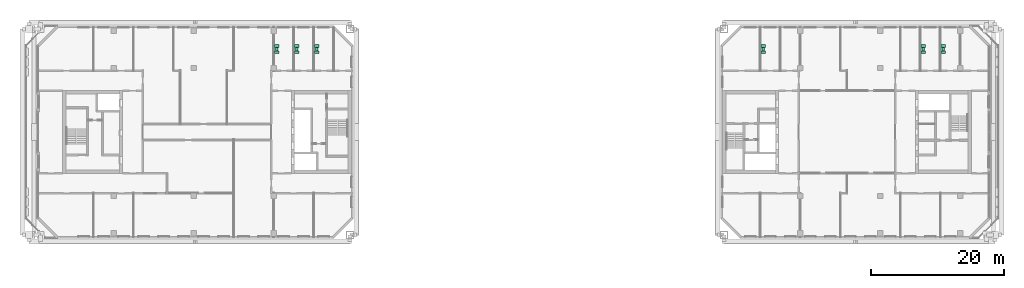
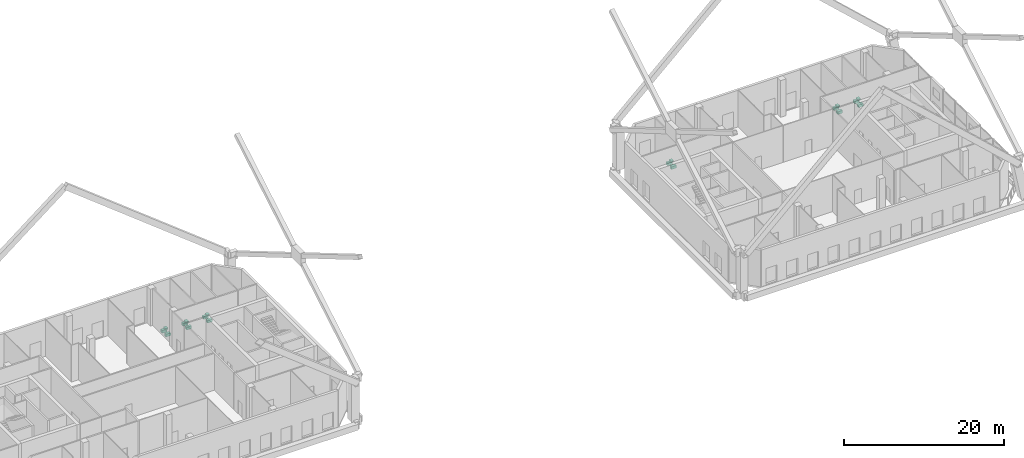
# One storey, part 20 of 20: 18 sanitary terminals.
"""IFC4 building model written with IfcOpenShell, lengths in metres."""

from ifc_helpers import new_model, si_unit, direction, frame, origin, origin_2d, place, context, subcontext, project, spatial, rectangle, extrude, element, save


model = new_model("IFC4")

# Units and contexts
model_context = context("Model", 3, precision=1e-05, world=origin(), true_north=direction((0.0, 1.0)))
body_context = subcontext(model_context, "Body", "Model", "MODEL_VIEW")
ifc_project = project(units=[si_unit("LENGTHUNIT", "METRE"), si_unit("AREAUNIT", "SQUARE_METRE"), si_unit("VOLUMEUNIT", "CUBIC_METRE"), si_unit("PLANEANGLEUNIT", "RADIAN"), si_unit("MASSUNIT", "GRAM", prefix="KILO")], contexts=[model_context])

# Site, building, storey
site_placement = place(None, origin())
site = spatial("IfcSite", under=ifc_project, at=site_placement, CompositionType="ELEMENT")
building_placement = place(site_placement, origin())
building = spatial("IfcBuilding", under=site, at=building_placement, Name="Tuart Gate Housing", CompositionType="ELEMENT")
storey_placement = place(building_placement, frame((0.0, 0.0, 142.300048828125)))
storey = spatial("IfcBuildingStorey", under=building, at=storey_placement, Name="L40", CompositionType="ELEMENT", Elevation=142.300048828125)

# Sanitary terminals
for number, where, z_axis, x_axis, name in (
    (1, (64.449951171875, 81.945068359375, 0.0), (0.0, 0.0, 1.0), (1.0, 0.0, 0.0), "Water closet"),
    (2, (64.449951171875, 82.89501953125, 0.0), (0.0, 0.0, 1.0), (1.0, 0.0, 0.0), "Water closet"),
):
    element("IfcSanitaryTerminal", number, at=place(storey_placement, frame(where, z_axis=z_axis, x_axis=x_axis)), inside=storey, Name=name, PredefinedType="TOILETPAN", context=body_context, shape_type="SweptSolid", body=[
        extrude(rectangle(XDim=0.699951171875, YDim=0.39990234375, at=origin_2d()), origin(), (0.0, 0.0, 1.0), 0.39990234375),
    ])
sanitary_terminal_1_placement = place(storey_placement, frame((64.449951171875, 82.419921875, 0.75), z_axis=(0.0, 0.0, 1.0), x_axis=(1.0, 0.0, 0.0)))
element("IfcSanitaryTerminal", 3, at=sanitary_terminal_1_placement, inside=storey, Name="Wash basin", PredefinedType="WASHHANDBASIN", context=body_context, shape_type="SweptSolid", body=[
    extrude(rectangle(XDim=0.39990234375, YDim=0.5, at=origin_2d()), origin(), (0.0, 0.0, 1.0), 0.199951171875),
])
for number, where, z_axis, x_axis, name in (
    (4, (67.449951171875, 81.945068359375, 0.0), (0.0, 0.0, 1.0), (1.0, 0.0, 0.0), "Water closet"),
    (5, (67.449951171875, 82.89501953125, 0.0), (0.0, 0.0, 1.0), (1.0, 0.0, 0.0), "Water closet"),
):
    element("IfcSanitaryTerminal", number, at=place(storey_placement, frame(where, z_axis=z_axis, x_axis=x_axis)), inside=storey, Name=name, PredefinedType="TOILETPAN", context=body_context, shape_type="SweptSolid", body=[
        extrude(rectangle(XDim=0.699951171875, YDim=0.39990234375, at=origin_2d()), origin(), (0.0, 0.0, 1.0), 0.39990234375),
    ])
sanitary_terminal_2_placement = place(storey_placement, frame((67.449951171875, 82.419921875, 0.75), z_axis=(0.0, 0.0, 1.0), x_axis=(1.0, 0.0, 0.0)))
element("IfcSanitaryTerminal", 6, at=sanitary_terminal_2_placement, inside=storey, Name="Wash basin", PredefinedType="WASHHANDBASIN", context=body_context, shape_type="SweptSolid", body=[
    extrude(rectangle(XDim=0.39990234375, YDim=0.5, at=origin_2d()), origin(), (0.0, 0.0, 1.0), 0.199951171875),
])
for number, where, z_axis, x_axis, name in (
    (7, (70.449951171875, 81.945068359375, 0.0), (0.0, 0.0, 1.0), (1.0, 0.0, 0.0), "Water closet"),
    (8, (70.449951171875, 82.89501953125, 0.0), (0.0, 0.0, 1.0), (1.0, 0.0, 0.0), "Water closet"),
):
    element("IfcSanitaryTerminal", number, at=place(storey_placement, frame(where, z_axis=z_axis, x_axis=x_axis)), inside=storey, Name=name, PredefinedType="TOILETPAN", context=body_context, shape_type="SweptSolid", body=[
        extrude(rectangle(XDim=0.699951171875, YDim=0.39990234375, at=origin_2d()), origin(), (0.0, 0.0, 1.0), 0.39990234375),
    ])
sanitary_terminal_3_placement = place(storey_placement, frame((70.449951171875, 82.419921875, 0.75), z_axis=(0.0, 0.0, 1.0), x_axis=(1.0, 0.0, 0.0)))
element("IfcSanitaryTerminal", 9, at=sanitary_terminal_3_placement, inside=storey, Name="Wash basin", PredefinedType="WASHHANDBASIN", context=body_context, shape_type="SweptSolid", body=[
    extrude(rectangle(XDim=0.39990234375, YDim=0.5, at=origin_2d()), origin(), (0.0, 0.0, 1.0), 0.199951171875),
])
for number, where, z_axis, x_axis, name in (
    (10, (137.449951171875, 81.945068359375, 0.0), (0.0, 0.0, 1.0), (1.0, 0.0, 0.0), "Water closet"),
    (11, (137.449951171875, 82.89501953125, 0.0), (0.0, 0.0, 1.0), (1.0, 0.0, 0.0), "Water closet"),
):
    element("IfcSanitaryTerminal", number, at=place(storey_placement, frame(where, z_axis=z_axis, x_axis=x_axis)), inside=storey, Name=name, PredefinedType="TOILETPAN", context=body_context, shape_type="SweptSolid", body=[
        extrude(rectangle(XDim=0.699951171875, YDim=0.39990234375, at=origin_2d()), origin(), (0.0, 0.0, 1.0), 0.39990234375),
    ])
sanitary_terminal_4_placement = place(storey_placement, frame((137.449951171875, 82.419921875, 0.75), z_axis=(0.0, 0.0, 1.0), x_axis=(1.0, 0.0, 0.0)))
element("IfcSanitaryTerminal", 12, at=sanitary_terminal_4_placement, inside=storey, Name="Wash basin", PredefinedType="WASHHANDBASIN", context=body_context, shape_type="SweptSolid", body=[
    extrude(rectangle(XDim=0.39990234375, YDim=0.5, at=origin_2d()), origin(), (0.0, 0.0, 1.0), 0.199951171875),
])
for number, where, z_axis, x_axis, name in (
    (13, (161.449951171875, 81.945068359375, 0.0), (0.0, 0.0, 1.0), (1.0, 0.0, 0.0), "Water closet"),
    (14, (161.449951171875, 82.89501953125, 0.0), (0.0, 0.0, 1.0), (1.0, 0.0, 0.0), "Water closet"),
):
    element("IfcSanitaryTerminal", number, at=place(storey_placement, frame(where, z_axis=z_axis, x_axis=x_axis)), inside=storey, Name=name, PredefinedType="TOILETPAN", context=body_context, shape_type="SweptSolid", body=[
        extrude(rectangle(XDim=0.699951171875, YDim=0.39990234375, at=origin_2d()), origin(), (0.0, 0.0, 1.0), 0.39990234375),
    ])
sanitary_terminal_5_placement = place(storey_placement, frame((161.449951171875, 82.419921875, 0.75), z_axis=(0.0, 0.0, 1.0), x_axis=(1.0, 0.0, 0.0)))
element("IfcSanitaryTerminal", 15, at=sanitary_terminal_5_placement, inside=storey, Name="Wash basin", PredefinedType="WASHHANDBASIN", context=body_context, shape_type="SweptSolid", body=[
    extrude(rectangle(XDim=0.39990234375, YDim=0.5, at=origin_2d()), origin(), (0.0, 0.0, 1.0), 0.199951171875),
])
for number, where, z_axis, x_axis, name in (
    (16, (164.449951171875, 81.945068359375, 0.0), (0.0, 0.0, 1.0), (1.0, 0.0, 0.0), "Water closet"),
    (17, (164.449951171875, 82.89501953125, 0.0), (0.0, 0.0, 1.0), (1.0, 0.0, 0.0), "Water closet"),
):
    element("IfcSanitaryTerminal", number, at=place(storey_placement, frame(where, z_axis=z_axis, x_axis=x_axis)), inside=storey, Name=name, PredefinedType="TOILETPAN", context=body_context, shape_type="SweptSolid", body=[
        extrude(rectangle(XDim=0.699951171875, YDim=0.39990234375, at=origin_2d()), origin(), (0.0, 0.0, 1.0), 0.39990234375),
    ])
sanitary_terminal_6_placement = place(storey_placement, frame((164.449951171875, 82.419921875, 0.75), z_axis=(0.0, 0.0, 1.0), x_axis=(1.0, 0.0, 0.0)))
element("IfcSanitaryTerminal", 18, at=sanitary_terminal_6_placement, inside=storey, Name="Wash basin", PredefinedType="WASHHANDBASIN", context=body_context, shape_type="SweptSolid", body=[
    extrude(rectangle(XDim=0.39990234375, YDim=0.5, at=origin_2d()), origin(), (0.0, 0.0, 1.0), 0.199951171875),
])

save(model, "model.ifc")
